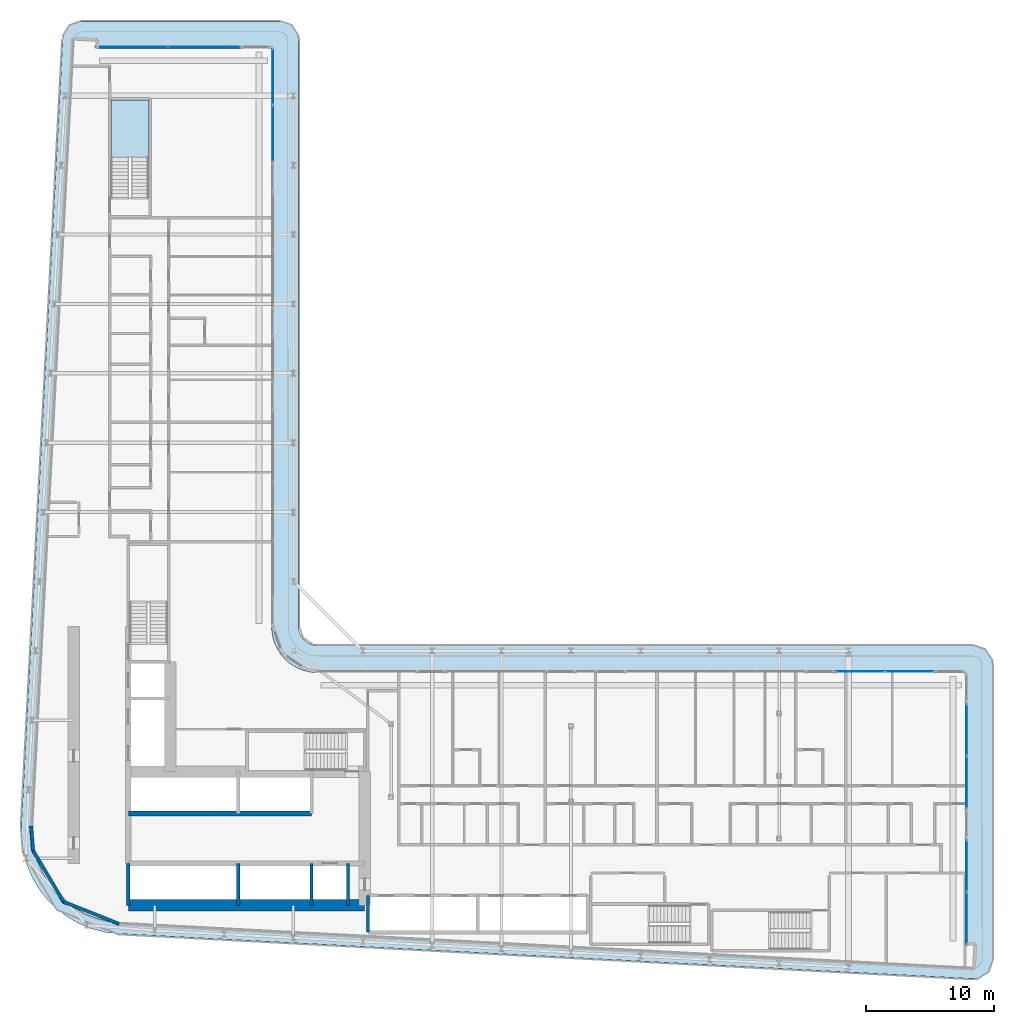
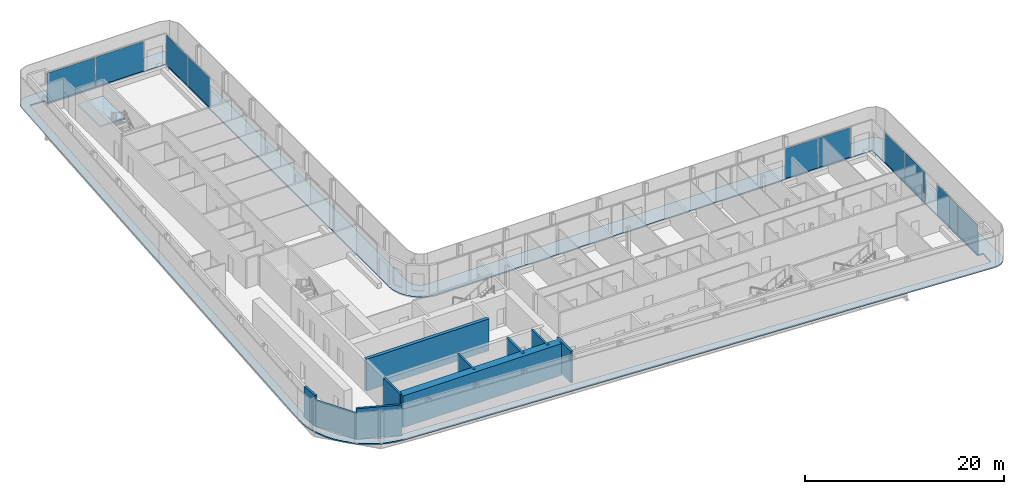
# One storey, part 11 of 25: 10 plates, 10 walls, 2 slabs, 6 elements without a shape of their own.
"""IFC4 building model written with IfcOpenShell, lengths in metres."""

from ifc_helpers import new_model, si_unit, direction, frame, frame_2d, origin, origin_2d, place, context, subcontext, project, spatial, polyline, rectangle, outline, extrude, material, layer, layer_set, type_object, element, aggregate, save


model = new_model("IFC4")

# Units and contexts
model_context = context("Model", 3, precision=1e-05, world=origin(), true_north=direction((0.0, 1.0)))
body_context = subcontext(model_context, "Body", "Model", "MODEL_VIEW")
ifc_project = project(units=[si_unit("LENGTHUNIT", "METRE"), si_unit("AREAUNIT", "SQUARE_METRE"), si_unit("VOLUMEUNIT", "CUBIC_METRE"), si_unit("PLANEANGLEUNIT", "RADIAN"), si_unit("MASSUNIT", "GRAM", prefix="KILO")], contexts=[model_context])

# Site, building, storey
site_placement = place(None, origin())
site = spatial("IfcSite", under=ifc_project, at=site_placement, CompositionType="ELEMENT")
building_placement = place(site_placement, origin())
building = spatial("IfcBuilding", under=site, at=building_placement, Name="Kheshtan School and Residences Tower", CompositionType="ELEMENT")
storey_placement = place(building_placement, frame((0.0, 0.0, 109.699951171875)))
storey = spatial("IfcBuildingStorey", under=building, at=storey_placement, Name="L25", CompositionType="ELEMENT", Elevation=109.699951171875)

# Curtain wall, plates
ifc_material_1 = material(Name="Clear low-e glass in thermally broken aluminium frame", Category="aluminium")
ifc_layer_1 = layer(ifc_material_1, 0.199951171875)
ifc_layer_set_1 = layer_set([ifc_layer_1], Name="Curtain wall CW-L")
curtain_wall_type = type_object("IfcCurtainWallType", Name="Curtain wall CW-L", PredefinedType="NOTDEFINED", material=ifc_layer_set_1)
curtain_wall_1_placement = place(storey_placement, origin())
curtain_wall_1 = element("IfcCurtainWall", 1, at=curtain_wall_1_placement, inside=storey, type_object=curtain_wall_type, Name="Curtain wall CWL3a", PredefinedType="NOTDEFINED")
ifc_layer_2 = layer(ifc_material_1, 0.031982421875)
ifc_layer_set_2 = layer_set([ifc_layer_2], Name="CW-L glass panel")
plate_type = type_object("IfcPlateType", Name="CW-L glass panel", PredefinedType="CURTAIN_PANEL", material=ifc_layer_set_2)
plate_1_placement = place(storey_placement, frame((35.0458984375, 92.60009765625, 0.0), z_axis=(0.0, 0.0, 1.0), x_axis=(1.0, 0.0, 0.0)))
plate_1 = element("IfcPlate", 2, at=plate_1_placement, type_object=plate_type, Name="CWL3a panel 1.1", PredefinedType="CURTAIN_PANEL", context=body_context, shape_type="SweptSolid", body=[
    extrude(rectangle(XDim=5.555908203125, YDim=0.031982421875, at=origin_2d()), origin(), (0.0, 0.0, 1.0), 3.6298828125),
])
plate_2_placement = place(storey_placement, frame((40.662109375, 92.60009765625, 0.0), z_axis=(0.0, 0.0, 1.0), x_axis=(1.0, 0.0, 0.0)))
plate_2 = element("IfcPlate", 3, at=plate_2_placement, type_object=plate_type, Name="CWL3a panel 2.1", PredefinedType="CURTAIN_PANEL", context=body_context, shape_type="SweptSolid", body=[
    extrude(rectangle(XDim=5.555908203125, YDim=0.031982421875, at=origin_2d()), origin(), (0.0, 0.0, 1.0), 3.6298828125),
])
aggregate(curtain_wall_1, [plate_1, plate_2])

curtain_wall_2_placement = place(storey_placement, origin())
curtain_wall_2 = element("IfcCurtainWall", 4, at=curtain_wall_2_placement, inside=storey, type_object=curtain_wall_type, Name="Curtain wall CWL4b", PredefinedType="NOTDEFINED")
plate_3_placement = place(storey_placement, frame((46.0, 90.26806640625, 0.0), z_axis=(0.0, 0.0, 1.0), x_axis=(0.0, -1.0, 0.0)))
plate_3 = element("IfcPlate", 5, at=plate_3_placement, type_object=plate_type, Name="CWL4b panel 1.1", PredefinedType="CURTAIN_PANEL", context=body_context, shape_type="SweptSolid", body=[
    extrude(rectangle(XDim=4.34375, YDim=0.031982421875, at=origin_2d()), origin(), (0.0, 0.0, 1.0), 3.6298828125),
])
plate_4_placement = place(storey_placement, frame((46.0, 85.8642578125, 0.0), z_axis=(0.0, 0.0, 1.0), x_axis=(0.0, -1.0, 0.0)))
plate_4 = element("IfcPlate", 6, at=plate_4_placement, type_object=plate_type, Name="CWL4b panel 2.1", PredefinedType="CURTAIN_PANEL", context=body_context, shape_type="SweptSolid", body=[
    extrude(rectangle(XDim=4.34375, YDim=0.031982421875, at=origin_2d()), origin(), (0.0, 0.0, 1.0), 3.6298828125),
])
aggregate(curtain_wall_2, [plate_3, plate_4])

curtain_wall_3_placement = place(storey_placement, origin())
curtain_wall_3 = element("IfcCurtainWall", 7, at=curtain_wall_3_placement, inside=storey, type_object=curtain_wall_type, Name="Curtain wall CWL8", PredefinedType="NOTDEFINED")
plate_5_placement = place(storey_placement, frame((91.744384765625, 44.0, 0.0), z_axis=(0.0, 0.0, 1.0), x_axis=(1.0, 0.0, 0.0)))
plate_5 = element("IfcPlate", 8, at=plate_5_placement, type_object=plate_type, Name="CWL8 panel 1.1", PredefinedType="CURTAIN_PANEL", context=body_context, shape_type="SweptSolid", body=[
    extrude(rectangle(XDim=3.757080078125, YDim=0.031982421875, at=origin_2d()), origin(), (0.0, 0.0, 1.0), 3.6298828125),
])
plate_6_placement = place(storey_placement, frame((95.5615234375, 44.0, 0.0), z_axis=(0.0, 0.0, 1.0), x_axis=(1.0, 0.0, 0.0)))
plate_6 = element("IfcPlate", 9, at=plate_6_placement, type_object=plate_type, Name="CWL8 panel 2.1", PredefinedType="CURTAIN_PANEL", context=body_context, shape_type="SweptSolid", body=[
    extrude(rectangle(XDim=3.757080078125, YDim=0.031982421875, at=origin_2d()), origin(), (0.0, 0.0, 1.0), 3.6298828125),
])
aggregate(curtain_wall_3, [plate_5, plate_6])

curtain_wall_4_placement = place(storey_placement, origin())
curtain_wall_4 = element("IfcCurtainWall", 10, at=curtain_wall_4_placement, inside=storey, type_object=curtain_wall_type, Name="Curtain wall CWL9", PredefinedType="NOTDEFINED")
plate_7_placement = place(storey_placement, frame((100.0, 39.436767578125, 0.0), z_axis=(0.0, 0.0, 1.0), x_axis=(0.0, -1.0, 0.0)))
plate_7 = element("IfcPlate", 11, at=plate_7_placement, type_object=plate_type, Name="CWL9 panel 1.1", PredefinedType="CURTAIN_PANEL", context=body_context, shape_type="SweptSolid", body=[
    extrude(rectangle(XDim=4.006591796875, YDim=0.031982421875, at=origin_2d()), origin(), (0.0, 0.0, 1.0), 3.6298828125),
])
plate_8_placement = place(storey_placement, frame((100.0, 35.370361328125, 0.0), z_axis=(0.0, 0.0, 1.0), x_axis=(0.0, -1.0, 0.0)))
plate_8 = element("IfcPlate", 12, at=plate_8_placement, type_object=plate_type, Name="CWL9 panel 2.1", PredefinedType="CURTAIN_PANEL", context=body_context, shape_type="SweptSolid", body=[
    extrude(rectangle(XDim=4.006591796875, YDim=0.031982421875, at=origin_2d()), origin(), (0.0, 0.0, 1.0), 3.6298828125),
])
aggregate(curtain_wall_4, [plate_7, plate_8])

curtain_wall_5_placement = place(storey_placement, origin())
curtain_wall_5 = element("IfcCurtainWall", 13, at=curtain_wall_5_placement, inside=storey, type_object=curtain_wall_type, Name="Curtain wall CWL9", PredefinedType="NOTDEFINED")
plate_9_placement = place(storey_placement, frame((100.0, 28.84375, 0.0), z_axis=(0.0, 0.0, 1.0), x_axis=(0.0, -1.0, 0.0)))
plate_9 = element("IfcPlate", 14, at=plate_9_placement, type_object=plate_type, Name="CWL9 panel 1.1", PredefinedType="CURTAIN_PANEL", context=body_context, shape_type="SweptSolid", body=[
    extrude(rectangle(XDim=4.006591796875, YDim=0.031982421875, at=origin_2d()), origin(), (0.0, 0.0, 1.0), 3.6298828125),
])
plate_10_placement = place(storey_placement, frame((100.0, 24.77734375, 0.0), z_axis=(0.0, 0.0, 1.0), x_axis=(0.0, -1.0, 0.0)))
plate_10 = element("IfcPlate", 15, at=plate_10_placement, type_object=plate_type, Name="CWL9 panel 2.1", PredefinedType="CURTAIN_PANEL", context=body_context, shape_type="SweptSolid", body=[
    extrude(rectangle(XDim=4.006591796875, YDim=0.031982421875, at=origin_2d()), origin(), (0.0, 0.0, 1.0), 3.6298828125),
])
aggregate(curtain_wall_5, [plate_9, plate_10])

# Slab
ifc_material_2 = material(Name="Concrete C40/50", Category="concrete")
ifc_layer_3 = layer(ifc_material_2, 0.14990234375)
ifc_layer_set_3 = layer_set([ifc_layer_3], Name="Loggia balcony slab 150 Concrete C40/50")
slab_type_1 = type_object("IfcSlabType", Name="Loggia balcony slab 150 Concrete C40/50", PredefinedType="FLOOR", material=ifc_layer_set_3)
slab_1_placement = place(storey_placement, frame((0.0, 0.0, -0.14990234375)))
element("IfcSlab", 16, at=slab_1_placement, inside=storey, type_object=slab_type_1, Name="Loggia balcony slab L25", PredefinedType="FLOOR", context=body_context, shape_type="SweptSolid", body=[
    extrude(outline(polyline([(28.4580078125, 26.222900390625), (28.45703125, 26.222900390625), (28.45703125, 26.22412109375), (28.4560546875, 26.22412109375), (27.81494140625, 27.0390625), (27.281005859375, 27.93798828125), (26.867919921875, 28.89990234375), (26.583984375, 29.89990234375), (26.583984375, 29.906982421875), (26.43408203125, 30.943115234375), (26.419921875, 31.989013671875), (29.64111328125, 93.178955078125), (29.64697265625, 93.22705078125), (29.64697265625, 93.22802734375), (29.64599609375, 93.22802734375), (29.64599609375, 93.22900390625), (29.64501953125, 93.22900390625), (29.64501953125, 93.22998046875), (29.64404296875, 93.22998046875), (29.64404296875, 93.23095703125), (29.64306640625, 93.23095703125), (29.64306640625, 93.23193359375), (29.64306640625, 93.23291015625), (29.660888671875, 93.381103515625), (29.660888671875, 93.384033203125), (29.660888671875, 93.385009765625), (29.662109375, 93.385009765625), (29.662109375, 93.385986328125), (29.6630859375, 93.385986328125), (29.6630859375, 93.386962890625), (29.6640625, 93.386962890625), (29.6650390625, 93.386962890625), (29.6650390625, 93.387939453125), (29.666015625, 93.387939453125), (29.666015625, 93.388916015625), (29.666015625, 93.39111328125), (29.718994140625, 93.583984375), (29.799072265625, 93.77490234375), (29.905029296875, 93.952880859375), (30.027099609375, 94.10693359375), (30.028076171875, 94.10693359375), (30.028076171875, 94.10791015625), (30.029052734375, 94.10791015625), (30.029052734375, 94.10888671875), (30.030029296875, 94.10888671875), (30.030029296875, 94.110107421875), (30.031005859375, 94.110107421875), (30.031005859375, 94.111083984375), (30.031982421875, 94.111083984375), (30.031982421875, 94.112060546875), (30.032958984375, 94.112060546875), (30.032958984375, 94.113037109375), (30.033935546875, 94.113037109375), (30.037109375, 94.113037109375), (30.0380859375, 94.113037109375), (30.0380859375, 94.114013671875), (30.18408203125, 94.257080078125), (30.18505859375, 94.257080078125), (30.18505859375, 94.258056640625), (30.18603515625, 94.258056640625), (30.18603515625, 94.259033203125), (30.18701171875, 94.259033203125), (30.18701171875, 94.260009765625), (30.18798828125, 94.260009765625), (30.18798828125, 94.260986328125), (30.18896484375, 94.260986328125), (30.18896484375, 94.261962890625), (30.18994140625, 94.261962890625), (30.18994140625, 94.262939453125), (30.19091796875, 94.262939453125), (30.19091796875, 94.263916015625), (30.35205078125, 94.376953125), (30.534912109375, 94.472900390625), (30.722900390625, 94.54296875), (30.72998046875, 94.54296875), (30.93310546875, 94.5859375), (31.138916015625, 94.60009765625), (46.5, 94.60009765625), (46.696044921875, 94.5869140625), (46.887939453125, 94.549072265625), (46.89501953125, 94.549072265625), (47.073974609375, 94.486083984375), (47.242919921875, 94.40087890625), (47.243896484375, 94.40087890625), (47.2470703125, 94.40087890625), (47.248046875, 94.40087890625), (47.248046875, 94.402099609375), (47.2490234375, 94.402099609375), (47.2490234375, 94.403076171875), (47.25, 94.403076171875), (47.2529296875, 94.403076171875), (47.25390625, 94.403076171875), (47.25390625, 94.402099609375), (47.2548828125, 94.402099609375), (47.2548828125, 94.40087890625), (47.256103515625, 94.40087890625), (47.256103515625, 94.39990234375), (47.257080078125, 94.39990234375), (47.257080078125, 94.39892578125), (47.258056640625, 94.39892578125), (47.258056640625, 94.39794921875), (47.412109375, 94.2958984375), (47.4130859375, 94.2958984375), (47.4130859375, 94.294921875), (47.4140625, 94.294921875), (47.4140625, 94.2939453125), (47.4140625, 94.2900390625), (47.4140625, 94.2890625), (47.4150390625, 94.2890625), (47.4150390625, 94.2880859375), (47.416015625, 94.2880859375), (47.416015625, 94.287109375), (47.4169921875, 94.287109375), (47.4169921875, 94.285888671875), (47.554931640625, 94.16796875), (47.554931640625, 94.1669921875), (47.555908203125, 94.1669921875), (47.555908203125, 94.166015625), (47.556884765625, 94.166015625), (47.556884765625, 94.1650390625), (47.55810546875, 94.1650390625), (47.55810546875, 94.1640625), (47.55908203125, 94.1640625), (47.55908203125, 94.1630859375), (47.56005859375, 94.1630859375), (47.56005859375, 94.162109375), (47.56103515625, 94.162109375), (47.56201171875, 94.160888671875), (47.56201171875, 94.159912109375), (47.56298828125, 94.159912109375), (47.56298828125, 94.158935546875), (47.56396484375, 94.158935546875), (47.56396484375, 94.157958984375), (47.56494140625, 94.157958984375), (47.56494140625, 94.156982421875), (47.56591796875, 94.156982421875), (47.56591796875, 94.156005859375), (47.56689453125, 94.156005859375), (47.56689453125, 94.155029296875), (47.568115234375, 94.155029296875), (47.68505859375, 94.01806640625), (47.68603515625, 94.01806640625), (47.68603515625, 94.01708984375), (47.68701171875, 94.01708984375), (47.68701171875, 94.01611328125), (47.68798828125, 94.01611328125), (47.68798828125, 94.014892578125), (47.68896484375, 94.014892578125), (47.68896484375, 94.013916015625), (47.68994140625, 94.013916015625), (47.694091796875, 94.013916015625), (47.695068359375, 94.013916015625), (47.695068359375, 94.012939453125), (47.696044921875, 94.012939453125), (47.696044921875, 94.011962890625), (47.797119140625, 93.85888671875), (47.798095703125, 93.85888671875), (47.798095703125, 93.85791015625), (47.799072265625, 93.85791015625), (47.799072265625, 93.85693359375), (47.800048828125, 93.85693359375), (47.800048828125, 93.85595703125), (47.801025390625, 93.85595703125), (47.801025390625, 93.85498046875), (47.802001953125, 93.85498046875), (47.802001953125, 93.85400390625), (47.802978515625, 93.85400390625), (47.802978515625, 93.85302734375), (47.802978515625, 93.85009765625), (47.802978515625, 93.84912109375), (47.802001953125, 93.84912109375), (47.802001953125, 93.847900390625), (47.801025390625, 93.847900390625), (47.801025390625, 93.846923828125), (47.801025390625, 93.843994140625), (47.801025390625, 93.843017578125), (47.885986328125, 93.674072265625), (47.948974609375, 93.4951171875), (47.948974609375, 93.488037109375), (47.987060546875, 93.2958984375), (48.0, 93.10009765625), (48.0, 47.5), (48.012939453125, 47.303955078125), (48.051025390625, 47.113037109375), (48.051025390625, 47.10693359375), (48.051025390625, 47.10595703125), (48.114013671875, 46.926025390625), (48.200927734375, 46.75), (48.31005859375, 46.5869140625), (48.431884765625, 46.444091796875), (48.43310546875, 46.444091796875), (48.43310546875, 46.443115234375), (48.43408203125, 46.443115234375), (48.43408203125, 46.44189453125), (48.43505859375, 46.44189453125), (48.43505859375, 46.44091796875), (48.43603515625, 46.44091796875), (48.43603515625, 46.43994140625), (48.43701171875, 46.43994140625), (48.43701171875, 46.43896484375), (48.43798828125, 46.43896484375), (48.43896484375, 46.43798828125), (48.43896484375, 46.43701171875), (48.43994140625, 46.43701171875), (48.43994140625, 46.43603515625), (48.44091796875, 46.43603515625), (48.44091796875, 46.43505859375), (48.44189453125, 46.43505859375), (48.44189453125, 46.43408203125), (48.443115234375, 46.43408203125), (48.443115234375, 46.43310546875), (48.444091796875, 46.43310546875), (48.444091796875, 46.431884765625), (48.5869140625, 46.31005859375), (48.75, 46.200927734375), (48.926025390625, 46.114013671875), (49.10595703125, 46.051025390625), (49.10693359375, 46.051025390625), (49.113037109375, 46.051025390625), (49.303955078125, 46.012939453125), (49.5, 46.0), (100.5, 46.0), (100.696044921875, 45.987060546875), (100.887939453125, 45.948974609375), (100.89501953125, 45.948974609375), (101.073974609375, 45.885986328125), (101.241943359375, 45.801025390625), (101.242919921875, 45.801025390625), (101.2470703125, 45.801025390625), (101.248046875, 45.801025390625), (101.248046875, 45.802001953125), (101.2490234375, 45.802001953125), (101.2490234375, 45.802978515625), (101.25, 45.802978515625), (101.2529296875, 45.802978515625), (101.25390625, 45.802978515625), (101.25390625, 45.802001953125), (101.2548828125, 45.802001953125), (101.2548828125, 45.801025390625), (101.256103515625, 45.801025390625), (101.256103515625, 45.800048828125), (101.257080078125, 45.800048828125), (101.257080078125, 45.799072265625), (101.258056640625, 45.799072265625), (101.258056640625, 45.798095703125), (101.259033203125, 45.798095703125), (101.259033203125, 45.797119140625), (101.260009765625, 45.797119140625), (101.260009765625, 45.7958984375), (101.412109375, 45.696044921875), (101.4130859375, 45.696044921875), (101.4130859375, 45.695068359375), (101.4140625, 45.695068359375), (101.4140625, 45.694091796875), (101.4140625, 45.68994140625), (101.4140625, 45.68896484375), (101.4150390625, 45.68896484375), (101.4150390625, 45.68798828125), (101.416015625, 45.68798828125), (101.416015625, 45.68701171875), (101.4169921875, 45.68701171875), (101.4169921875, 45.68603515625), (101.41796875, 45.68603515625), (101.41796875, 45.68505859375), (101.4189453125, 45.68505859375), (101.4189453125, 45.68408203125), (101.554931640625, 45.568115234375), (101.554931640625, 45.56689453125), (101.555908203125, 45.56689453125), (101.555908203125, 45.56591796875), (101.556884765625, 45.56591796875), (101.556884765625, 45.56494140625), (101.55810546875, 45.56494140625), (101.55810546875, 45.56396484375), (101.55908203125, 45.56396484375), (101.55908203125, 45.56298828125), (101.56005859375, 45.56298828125), (101.56005859375, 45.56201171875), (101.56103515625, 45.56201171875), (101.56201171875, 45.56103515625), (101.56201171875, 45.56005859375), (101.56298828125, 45.56005859375), (101.56298828125, 45.55908203125), (101.56396484375, 45.55908203125), (101.56396484375, 45.55810546875), (101.56494140625, 45.55810546875), (101.56494140625, 45.556884765625), (101.56591796875, 45.556884765625), (101.56591796875, 45.555908203125), (101.56689453125, 45.555908203125), (101.56689453125, 45.554931640625), (101.568115234375, 45.554931640625), (101.681884765625, 45.4208984375), (101.68310546875, 45.4208984375), (101.68310546875, 45.419921875), (101.68408203125, 45.419921875), (101.68408203125, 45.4189453125), (101.68505859375, 45.4189453125), (101.68505859375, 45.41796875), (101.68603515625, 45.41796875), (101.68603515625, 45.4169921875), (101.68701171875, 45.4169921875), (101.68701171875, 45.416015625), (101.68798828125, 45.416015625), (101.68798828125, 45.4150390625), (101.68896484375, 45.4150390625), (101.68896484375, 45.4140625), (101.68994140625, 45.4140625), (101.694091796875, 45.4140625), (101.695068359375, 45.4140625), (101.695068359375, 45.4130859375), (101.696044921875, 45.4130859375), (101.696044921875, 45.412109375), (101.7939453125, 45.261962890625), (101.794921875, 45.261962890625), (101.794921875, 45.260986328125), (101.7958984375, 45.260986328125), (101.7958984375, 45.260009765625), (101.797119140625, 45.260009765625), (101.797119140625, 45.259033203125), (101.798095703125, 45.259033203125), (101.798095703125, 45.258056640625), (101.799072265625, 45.258056640625), (101.799072265625, 45.257080078125), (101.800048828125, 45.257080078125), (101.800048828125, 45.256103515625), (101.801025390625, 45.256103515625), (101.801025390625, 45.2548828125), (101.802001953125, 45.2548828125), (101.802001953125, 45.25390625), (101.802978515625, 45.25390625), (101.802978515625, 45.2529296875), (101.802978515625, 45.25), (101.802978515625, 45.2490234375), (101.802001953125, 45.2490234375), (101.802001953125, 45.248046875), (101.801025390625, 45.248046875), (101.801025390625, 45.2470703125), (101.801025390625, 45.240966796875), (101.801025390625, 45.239990234375), (101.885986328125, 45.073974609375), (101.948974609375, 44.89501953125), (101.948974609375, 44.887939453125), (101.987060546875, 44.696044921875), (102.0, 44.5), (102.0, 21.5810546875), (101.986083984375, 21.37890625), (101.945068359375, 21.179931640625), (101.945068359375, 21.173095703125), (101.8779296875, 20.989013671875), (101.785888671875, 20.80810546875), (101.6708984375, 20.64306640625), (101.6708984375, 20.64208984375), (101.6708984375, 20.64111328125), (101.6708984375, 20.639892578125), (101.672119140625, 20.639892578125), (101.672119140625, 20.638916015625), (101.672119140625, 20.636962890625), (101.672119140625, 20.635986328125), (101.6708984375, 20.635986328125), (101.6708984375, 20.635009765625), (101.5380859375, 20.491943359375), (101.534912109375, 20.489013671875), (101.533935546875, 20.489013671875), (101.533935546875, 20.488037109375), (101.532958984375, 20.488037109375), (101.531005859375, 20.488037109375), (101.530029296875, 20.488037109375), (101.530029296875, 20.489013671875), (101.529052734375, 20.489013671875), (101.528076171875, 20.489013671875), (101.527099609375, 20.489013671875), (101.3759765625, 20.364013671875), (101.2041015625, 20.256103515625), (101.01904296875, 20.174072265625), (100.8310546875, 20.116943359375), (100.823974609375, 20.116943359375), (100.6240234375, 20.0859375), (100.4208984375, 20.0830078125), (33.989013671875, 23.580078125), (33.94189453125, 23.5859375), (33.94091796875, 23.5859375), (33.93994140625, 23.5859375), (33.93994140625, 23.5849609375), (33.93896484375, 23.5849609375), (33.93896484375, 23.583984375), (33.93798828125, 23.583984375), (33.93798828125, 23.5830078125), (33.93701171875, 23.5830078125), (33.93701171875, 23.58203125), (33.93603515625, 23.58203125), (33.93505859375, 23.58203125), (32.952880859375, 23.697998046875), (32.949951171875, 23.697998046875), (32.948974609375, 23.697998046875), (32.948974609375, 23.698974609375), (32.947998046875, 23.698974609375), (32.947998046875, 23.699951171875), (32.947021484375, 23.699951171875), (32.947021484375, 23.700927734375), (32.947021484375, 23.702880859375), (32.947021484375, 23.7041015625), (32.946044921875, 23.7041015625), (32.946044921875, 23.705078125), (32.945068359375, 23.705078125), (32.944091796875, 23.705078125), (31.93603515625, 23.9609375), (31.928955078125, 23.9609375), (30.964111328125, 24.34912109375), (30.051025390625, 24.860107421875), (29.218994140625, 25.47900390625), (29.218994140625, 25.47998046875), (29.218017578125, 25.47998046875), (29.218017578125, 25.48095703125), (29.217041015625, 25.48095703125), (29.217041015625, 25.48193359375), (29.216064453125, 25.48193359375), (29.216064453125, 25.48291015625), (29.215087890625, 25.48291015625), (29.215087890625, 25.48388671875), (29.214111328125, 25.48388671875), (29.214111328125, 25.485107421875), (29.212890625, 25.485107421875), (29.212890625, 25.486083984375), (29.2119140625, 25.486083984375), (28.467041015625, 26.217041015625), (28.467041015625, 26.218017578125), (28.466064453125, 26.218017578125), (28.462890625, 26.218017578125), (28.4619140625, 26.218017578125), (28.4619140625, 26.218994140625), (28.4609375, 26.218994140625), (28.4609375, 26.219970703125), (28.4599609375, 26.219970703125), (28.4599609375, 26.220947265625), (28.458984375, 26.220947265625), (28.458984375, 26.221923828125), (28.4580078125, 26.221923828125), (28.4580078125, 26.222900390625)]), holes=[polyline([(27.466064453125, 30.0869140625), (27.718017578125, 29.200927734375), (28.0849609375, 28.345947265625), (28.55908203125, 27.550048828125), (29.126953125, 26.825927734375), (29.1279296875, 26.825927734375), (29.1279296875, 26.824951171875), (29.12890625, 26.824951171875), (29.12890625, 26.823974609375), (29.1298828125, 26.823974609375), (29.1298828125, 26.822998046875), (29.131103515625, 26.822998046875), (29.131103515625, 26.822021484375), (29.132080078125, 26.822021484375), (29.132080078125, 26.821044921875), (29.133056640625, 26.821044921875), (29.133056640625, 26.820068359375), (29.134033203125, 26.820068359375), (29.794921875, 26.173095703125), (29.794921875, 26.172119140625), (29.7958984375, 26.172119140625), (29.798095703125, 26.172119140625), (29.799072265625, 26.172119140625), (29.799072265625, 26.1708984375), (29.800048828125, 26.1708984375), (29.800048828125, 26.169921875), (29.801025390625, 26.169921875), (29.801025390625, 26.1689453125), (29.802001953125, 26.1689453125), (29.802001953125, 26.16796875), (29.802978515625, 26.16796875), (29.802978515625, 26.1669921875), (29.803955078125, 26.1669921875), (29.803955078125, 26.166015625), (30.541015625, 25.616943359375), (31.35205078125, 25.1630859375), (32.208984375, 24.819091796875), (32.2099609375, 24.819091796875), (32.216064453125, 24.819091796875), (33.114990234375, 24.590087890625), (34.06591796875, 24.47705078125), (100.43798828125, 20.98291015625), (100.465087890625, 20.98388671875), (100.466064453125, 20.98388671875), (100.467041015625, 20.98388671875), (100.467041015625, 20.985107421875), (100.468017578125, 20.985107421875), (100.468017578125, 20.986083984375), (100.468017578125, 20.987060546875), (100.55810546875, 22.676025390625), (100.55810546875, 22.677001953125), (100.55810546875, 22.677978515625), (100.556884765625, 22.677978515625), (100.556884765625, 22.678955078125), (100.555908203125, 22.678955078125), (100.554931640625, 22.678955078125), (99.90087890625, 22.714111328125), (99.89990234375, 22.714111328125), (99.89990234375, 22.715087890625), (99.89990234375, 43.89794921875), (99.89990234375, 43.89892578125), (99.89892578125, 43.89892578125), (99.89892578125, 43.89990234375), (99.89794921875, 43.89990234375), (49.429931640625, 43.89990234375), (49.030029296875, 43.927001953125), (48.569091796875, 44.01806640625), (48.56201171875, 44.01806640625), (48.1201171875, 44.169921875), (47.697021484375, 44.37890625), (47.30810546875, 44.638916015625), (46.95703125, 44.944091796875), (46.95703125, 44.945068359375), (46.9560546875, 44.945068359375), (46.9560546875, 44.946044921875), (46.955078125, 44.946044921875), (46.955078125, 44.947021484375), (46.9541015625, 44.947021484375), (46.9541015625, 44.947998046875), (46.952880859375, 44.947998046875), (46.952880859375, 44.948974609375), (46.951904296875, 44.948974609375), (46.951904296875, 44.949951171875), (46.951904296875, 44.950927734375), (46.950927734375, 44.950927734375), (46.950927734375, 44.951904296875), (46.949951171875, 44.951904296875), (46.948974609375, 44.951904296875), (46.948974609375, 44.952880859375), (46.947998046875, 44.952880859375), (46.947998046875, 44.9541015625), (46.947021484375, 44.9541015625), (46.947021484375, 44.955078125), (46.946044921875, 44.955078125), (46.946044921875, 44.9560546875), (46.945068359375, 44.9560546875), (46.945068359375, 44.95703125), (46.944091796875, 44.95703125), (46.638916015625, 45.30810546875), (46.37890625, 45.697021484375), (46.169921875, 46.1201171875), (46.01806640625, 46.56201171875), (46.01806640625, 46.569091796875), (45.927001953125, 47.030029296875), (45.89990234375, 47.429931640625), (45.89990234375, 92.498046875), (45.89990234375, 92.4990234375), (45.89892578125, 92.4990234375), (45.89892578125, 92.5), (45.89794921875, 92.5), (32.208984375, 92.5), (32.2080078125, 92.5), (32.237060546875, 93.0390625), (32.237060546875, 93.0400390625), (32.237060546875, 93.041015625), (32.236083984375, 93.041015625), (32.236083984375, 93.0419921875), (32.235107421875, 93.0419921875), (32.23388671875, 93.0419921875), (30.544921875, 93.132080078125), (30.5439453125, 93.132080078125), (30.54296875, 93.132080078125), (30.54296875, 93.131103515625), (30.5419921875, 93.131103515625), (30.5419921875, 93.1298828125), (30.5419921875, 93.12890625), (30.5380859375, 93.10107421875), (27.320068359375, 31.970947265625), (27.3330078125, 31.013916015625), (27.466064453125, 30.093994140625), (27.466064453125, 30.087890625), (27.466064453125, 30.0869140625)])]), origin(), (0.0, 0.0, 1.0), 0.14990234375),
])

# Stair, slab
stair_type = type_object("IfcStairType", Name="Exit stair, half-turn", PredefinedType="HALF_TURN_STAIR", material=ifc_material_2)
stair_placement = place(storey_placement, origin())
stair = element("IfcStair", 17, at=stair_placement, inside=storey, type_object=stair_type, Name="L25 Protected Exit Stair ST3", PredefinedType="HALF_TURN_STAIR")
ifc_layer_4 = layer(ifc_material_2, 0.199951171875)
ifc_layer_set_4 = layer_set([ifc_layer_4], Name="Stair landing 200 Concrete C40/50")
slab_type_2 = type_object("IfcSlabType", Name="Stair landing 200 Concrete C40/50", PredefinedType="LANDING", material=ifc_layer_set_4)
slab_2_placement = place(storey_placement, frame((0.0, 0.0, 1.75)))
slab_2 = element("IfcSlab", 18, at=slab_2_placement, type_object=slab_type_2, Name="ST3 landing 1", PredefinedType="LANDING", context=body_context, shape_type="SweptSolid", body=[
    extrude(outline(polyline([(36.35009765625, 83.97998046875), (36.35009765625, 88.4599609375), (33.39990234375, 88.4599609375), (33.39990234375, 83.97998046875), (36.35009765625, 83.97998046875)])), origin(), (0.0, 0.0, 1.0), 0.199951171875),
])
aggregate(stair, [slab_2])

# Walls
ifc_material_3 = material(Name="Concrete C50/60", Category="concrete")
ifc_layer_5 = layer(ifc_material_3, 0.39990234375)
ifc_layer_set_5 = layer_set([ifc_layer_5], Name="Core wall 400 Concrete C50/60")
wall_type_1 = type_object("IfcWallType", Name="Core wall 400 Concrete C50/60", PredefinedType="SHEAR", material=ifc_layer_set_5)
wall_1_placement = place(storey_placement, frame((34.75, 32.949951171875, 0.0), z_axis=(0.0, 0.0, 1.0), x_axis=(1.0, 0.0, 0.0)))
element("IfcWall", 19, at=wall_1_placement, inside=storey, type_object=wall_type_1, Name="Core wall CW-HALL-S2", PredefinedType="SHEAR", context=body_context, shape_type="SweptSolid", body=[
    extrude(rectangle(XDim=14.25, YDim=0.39990234375, at=frame_2d((7.125, 0.0))), origin(), (0.0, 0.0, 1.0), 3.900146484375),
])
ifc_material_4 = material(Name="Concrete C80/95", Category="concrete")
ifc_layer_6 = layer(ifc_material_4, 0.89990234375)
ifc_layer_set_6 = layer_set([ifc_layer_6], Name="Core wall 900 Concrete C80/95")
wall_type_2 = type_object("IfcWallType", Name="Core wall 900 Concrete C80/95", PredefinedType="SHEAR", material=ifc_layer_set_6)
wall_2_placement = place(storey_placement, frame((34.75, 25.800048828125, 0.0), z_axis=(0.0, 0.0, 1.0), x_axis=(1.0, 0.0, 0.0)))
element("IfcWall", 20, at=wall_2_placement, inside=storey, type_object=wall_type_2, Name="Core wall CW-REAR-S", PredefinedType="SHEAR", context=body_context, shape_type="SweptSolid", body=[
    extrude(rectangle(XDim=18.39990234375, YDim=0.89990234375, at=frame_2d((9.199951171875, 0.0))), origin(), (0.0, 0.0, 1.0), 3.900146484375),
])
ifc_material_5 = material(Name="Concrete C40/50 with ceramic cladding and mineral wool insulation", Category="concrete")
ifc_layer_7 = layer(ifc_material_5, 0.25)
ifc_layer_set_7 = layer_set([ifc_layer_7], Name="External wall 250 ceramic clad")
wall_type_3 = type_object("IfcWallType", Name="External wall 250 ceramic clad", PredefinedType="SOLIDWALL", material=ifc_layer_set_7)
wall_3_placement = place(storey_placement, frame((34.0390625, 24.35302734375, 0.0), z_axis=(0.0, 0.0, 1.0), x_axis=(-0.929352825399, 0.369192803184, 0.0)))
element("IfcWall", 21, at=wall_3_placement, inside=storey, type_object=wall_type_3, Name="External wall L25 13", PredefinedType="SOLIDWALL", context=body_context, shape_type="SweptSolid", body=[
    extrude(rectangle(XDim=4.656005859375, YDim=0.25, at=frame_2d((2.328125, 0.0))), origin(), (0.0, 0.0, 1.0), 3.75),
])
wall_4_placement = place(storey_placement, frame((29.7119140625, 26.072021484375, 0.0), z_axis=(0.0, 0.0, 1.0), x_axis=(-0.511028049012, 0.859564036662, 0.0)))
element("IfcWall", 22, at=wall_4_placement, inside=storey, type_object=wall_type_3, Name="External wall L25 14", PredefinedType="SOLIDWALL", context=body_context, shape_type="SweptSolid", body=[
    extrude(rectangle(XDim=4.633544921875, YDim=0.25, at=frame_2d((2.31689453125, 0.0))), origin(), (0.0, 0.0, 1.0), 3.14697265625),
])
wall_5_placement = place(storey_placement, frame((27.343994140625, 30.054931640625, 0.0), z_axis=(0.0, 0.0, 1.0), x_axis=(-0.077571675317, 0.99698677784, 0.0)))
element("IfcWall", 23, at=wall_5_placement, inside=storey, type_object=wall_type_3, Name="External wall L25 15", PredefinedType="SOLIDWALL", context=body_context, shape_type="SweptSolid", body=[
    extrude(rectangle(XDim=1.919921875, YDim=0.25, at=frame_2d((0.9599609375, 0.0))), origin(), (0.0, 0.0, 1.0), 3.75),
])
ifc_material_6 = material(Name="Fire-board shaft wall system")
ifc_layer_8 = layer(ifc_material_6, 0.25)
ifc_layer_set_8 = layer_set([ifc_layer_8], Name="Shaft lining wall 250")
wall_type_4 = type_object("IfcWallType", Name="Shaft lining wall 250", PredefinedType="PARTITIONING", material=ifc_layer_set_8)
for number, where, z_axis, x_axis, name in (
    (24, (34.75, 25.800048828125, 0.0), (0.0, 0.0, 1.0), (0.0, 1.0, 0.0), "Shaft lining wall"),
    (25, (43.300048828125, 25.800048828125, 0.0), (0.0, 0.0, 1.0), (0.0, 1.0, 0.0), "Shaft lining wall"),
    (26, (49.0, 25.800048828125, 0.0), (0.0, 0.0, 1.0), (0.0, 1.0, 0.0), "Shaft lining wall"),
    (27, (51.85009765625, 25.800048828125, 0.0), (0.0, 0.0, 1.0), (0.0, 1.0, 0.0), "Shaft lining wall"),
):
    element("IfcWall", number, at=place(storey_placement, frame(where, z_axis=z_axis, x_axis=x_axis)), inside=storey, type_object=wall_type_4, Name=name, PredefinedType="PARTITIONING", context=body_context, shape_type="SweptSolid", body=[
        extrude(rectangle(XDim=3.25, YDim=0.25, at=frame_2d((1.625, 0.0))), origin(), (0.0, 0.0, 1.0), 3.900146484375),
    ])
wall_6_placement = place(storey_placement, frame((53.39990234375, 23.699951171875, 0.0), z_axis=(0.0, 0.0, 1.0), x_axis=(0.0, 1.0, 0.0)))
element("IfcWall", 28, at=wall_6_placement, inside=storey, type_object=wall_type_4, Name="Shaft lining wall", PredefinedType="PARTITIONING", context=body_context, shape_type="SweptSolid", body=[
    extrude(rectangle(XDim=2.85009765625, YDim=0.25, at=frame_2d((1.425048828125, 0.0))), origin(), (0.0, 0.0, 1.0), 3.900146484375),
])

save(model, "model.ifc")
